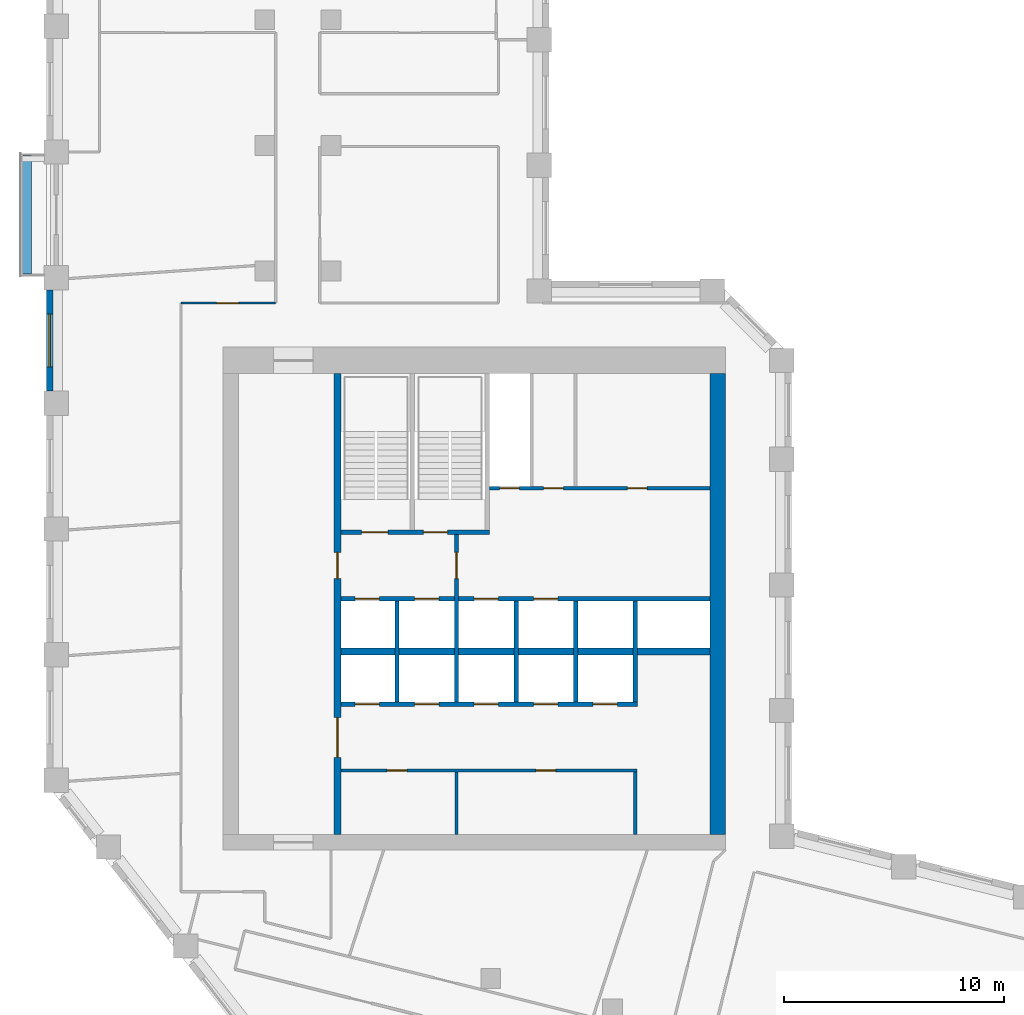
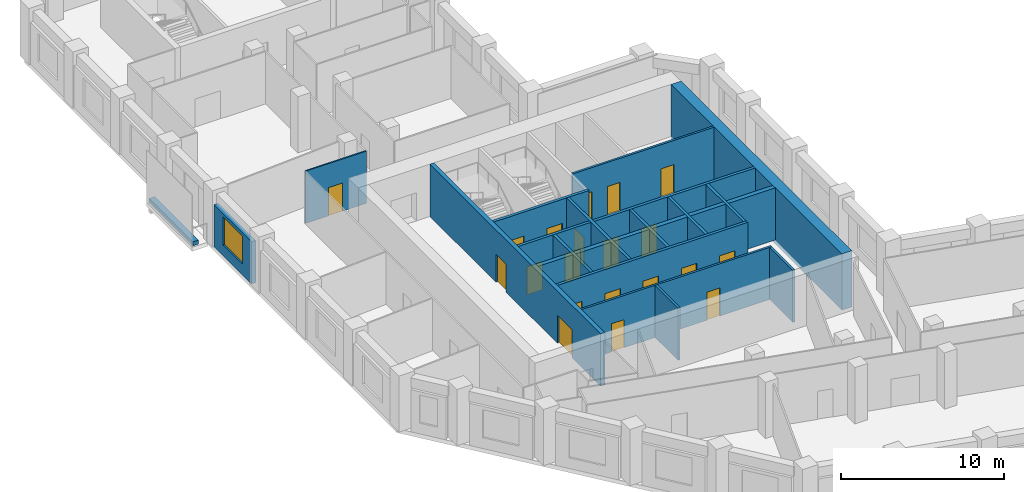
# One storey, part 5 of 10: 20 doors, 18 walls, 1 window, 21 openings.
"""IFC4 building model written with IfcOpenShell, lengths in metres."""

from ifc_helpers import new_model, si_unit, direction, frame, frame_2d, origin, place, context, subcontext, project, spatial, rectangle, extrude, material, layer, layer_set, type_object, element, fill, save


model = new_model("IFC4")

# Units and contexts
model_context = context("Model", 3, precision=1e-05, world=origin(), true_north=direction((0.0, 1.0)))
body_context = subcontext(model_context, "Body", "Model", "MODEL_VIEW")
ifc_project = project(units=[si_unit("LENGTHUNIT", "METRE"), si_unit("AREAUNIT", "SQUARE_METRE"), si_unit("VOLUMEUNIT", "CUBIC_METRE"), si_unit("PLANEANGLEUNIT", "RADIAN"), si_unit("MASSUNIT", "GRAM", prefix="KILO")], contexts=[model_context])

# Site, building, storey
site_placement = place(None, origin())
site = spatial("IfcSite", under=ifc_project, at=site_placement, CompositionType="ELEMENT")
building_placement = place(site_placement, origin())
building = spatial("IfcBuilding", under=site, at=building_placement, Name="Meshkara Civic Tower", CompositionType="ELEMENT")
storey_placement = place(building_placement, frame((0.0, 0.0, 238.199951171875)))
storey = spatial("IfcBuildingStorey", under=building, at=storey_placement, Name="L54", CompositionType="ELEMENT", Elevation=238.199951171875)

# Wall, openings, doors
ifc_material_1 = material(Name="Blockwork", Category="masonry")
ifc_layer_1 = layer(ifc_material_1, 0.14990234375)
ifc_layer_set_1 = layer_set([ifc_layer_1], Name="Core partition 150")
wall_type_1 = type_object("IfcWallType", Name="Core partition 150", PredefinedType="PARTITIONING", material=ifc_layer_set_1)
wall_1_placement = place(storey_placement, frame((13.35009765625, 17.699951171875, 0.0), z_axis=(0.0, 0.0, 1.0), x_axis=(1.0, 0.0, 0.0)))
wall_1 = element("IfcWall", 1, at=wall_1_placement, inside=storey, type_object=wall_type_1, Name="L54-C005", PredefinedType="PARTITIONING", context=body_context, shape_type="SweptSolid", body=[
    extrude(rectangle(XDim=13.4248046875, YDim=0.14990234375, at=frame_2d((6.71240234375, 0.0))), origin(), (0.0, 0.0, 1.0), 3.900146484375),
])
opening_1_placement = place(wall_1_placement, frame((2.10009765625, 0.0, 0.0)))
opening_1 = element("IfcOpeningElement", 2, at=opening_1_placement, cuts=wall_1, Name="Opening L54-K010", PredefinedType="OPENING", context=body_context, shape_type="SweptSolid", body=[
    extrude(rectangle(XDim=0.89990234375, YDim=2.10009765625, at=frame_2d((0.449951171875, 1.050048828125))), frame((0.0, 0.0849609375, 0.0), z_axis=(0.0, -1.0, 0.0), x_axis=(1.0, 0.0, 0.0)), (0.0, 0.0, 1.0), 0.169921875),
])
opening_2_placement = place(wall_1_placement, frame((8.85009765625, 0.0, 0.0)))
opening_2 = element("IfcOpeningElement", 3, at=opening_2_placement, cuts=wall_1, Name="Opening L54-K011", PredefinedType="OPENING", context=body_context, shape_type="SweptSolid", body=[
    extrude(rectangle(XDim=0.89990234375, YDim=2.10009765625, at=frame_2d((0.449951171875, 1.050048828125))), frame((0.0, 0.0849609375, 0.0), z_axis=(0.0, -1.0, 0.0), x_axis=(1.0, 0.0, 0.0)), (0.0, 0.0, 1.0), 0.169921875),
])
ifc_material_2 = material(Name="Timber door leaf in steel frame", Category="steel")
door_type_1 = type_object("IfcDoorType", Name="Core room door 900", OperationType="SINGLE_SWING_LEFT", PredefinedType="DOOR", material=ifc_material_2)
door_1_placement = place(opening_1_placement, origin())
door_1 = element("IfcDoor", 4, at=door_1_placement, inside=storey, type_object=door_type_1, Name="L54-K010", OperationType="SINGLE_SWING_LEFT", OverallHeight=2.10009765625, OverallWidth=0.89990234375, PredefinedType="DOOR", context=body_context, shape_type="SweptSolid", body=[
    extrude(rectangle(XDim=0.89990234375, YDim=2.10009765625, at=frame_2d((0.449951171875, 1.050048828125))), frame((0.0, 0.02490234375, 0.0), z_axis=(0.0, -1.0, 0.0), x_axis=(1.0, 0.0, 0.0)), (0.0, 0.0, 1.0), 0.050048828125),
])
fill(opening_1, door_1)
door_2_placement = place(opening_2_placement, origin())
door_2 = element("IfcDoor", 5, at=door_2_placement, inside=storey, type_object=door_type_1, Name="L54-K011", OperationType="SINGLE_SWING_LEFT", OverallHeight=2.10009765625, OverallWidth=0.89990234375, PredefinedType="DOOR", context=body_context, shape_type="SweptSolid", body=[
    extrude(rectangle(XDim=0.89990234375, YDim=2.10009765625, at=frame_2d((0.449951171875, 1.050048828125))), frame((0.0, 0.02490234375, 0.0), z_axis=(0.0, -1.0, 0.0), x_axis=(1.0, 0.0, 0.0)), (0.0, 0.0, 1.0), 0.050048828125),
])
fill(opening_2, door_2)

wall_2_placement = place(storey_placement, frame((20.10009765625, 30.5, 0.0), z_axis=(0.0, 0.0, 1.0), x_axis=(1.0, 0.0, 0.0)))
wall_2 = element("IfcWall", 6, at=wall_2_placement, inside=storey, type_object=wall_type_1, Name="L54-C010", PredefinedType="PARTITIONING", context=body_context, shape_type="SweptSolid", body=[
    extrude(rectangle(XDim=10.0, YDim=0.14990234375, at=frame_2d((5.0, 0.0))), origin(), (0.0, 0.0, 1.0), 3.900146484375),
])
opening_3_placement = place(wall_2_placement, frame((0.449951171875, 0.0, 0.0)))
opening_3 = element("IfcOpeningElement", 7, at=opening_3_placement, cuts=wall_2, Name="Opening L54-K012", PredefinedType="OPENING", context=body_context, shape_type="SweptSolid", body=[
    extrude(rectangle(XDim=0.89990234375, YDim=2.10009765625, at=frame_2d((0.449951171875, 1.050048828125))), frame((0.0, 0.0849609375, 0.0), z_axis=(0.0, -1.0, 0.0), x_axis=(1.0, 0.0, 0.0)), (0.0, 0.0, 1.0), 0.169921875),
])
opening_4_placement = place(wall_2_placement, frame((2.449951171875, 0.0, 0.0)))
opening_4 = element("IfcOpeningElement", 8, at=opening_4_placement, cuts=wall_2, Name="Opening L54-K013", PredefinedType="OPENING", context=body_context, shape_type="SweptSolid", body=[
    extrude(rectangle(XDim=0.89990234375, YDim=2.10009765625, at=frame_2d((0.449951171875, 1.050048828125))), frame((0.0, 0.0849609375, 0.0), z_axis=(0.0, -1.0, 0.0), x_axis=(1.0, 0.0, 0.0)), (0.0, 0.0, 1.0), 0.169921875),
])
opening_5_placement = place(wall_2_placement, frame((6.25, 0.0, 0.0)))
opening_5 = element("IfcOpeningElement", 9, at=opening_5_placement, cuts=wall_2, Name="Opening L54-K014", PredefinedType="OPENING", context=body_context, shape_type="SweptSolid", body=[
    extrude(rectangle(XDim=0.89990234375, YDim=2.10009765625, at=frame_2d((0.449951171875, 1.050048828125))), frame((0.0, 0.0849609375, 0.0), z_axis=(0.0, -1.0, 0.0), x_axis=(1.0, 0.0, 0.0)), (0.0, 0.0, 1.0), 0.169921875),
])
door_3_placement = place(opening_5_placement, origin())
door_3 = element("IfcDoor", 10, at=door_3_placement, inside=storey, type_object=door_type_1, Name="L54-K014", OperationType="SINGLE_SWING_RIGHT", OverallHeight=2.10009765625, OverallWidth=0.89990234375, PredefinedType="DOOR", context=body_context, shape_type="SweptSolid", body=[
    extrude(rectangle(XDim=0.89990234375, YDim=2.10009765625, at=frame_2d((0.449951171875, 1.050048828125))), frame((0.0, 0.02490234375, 0.0), z_axis=(0.0, -1.0, 0.0), x_axis=(1.0, 0.0, 0.0)), (0.0, 0.0, 1.0), 0.050048828125),
])
fill(opening_5, door_3)
ifc_material_3 = material(Name="Fire-rated door leaf in steel frame", Category="steel")
door_type_2 = type_object("IfcDoorType", Name="Riser door 900", OperationType="SINGLE_SWING_LEFT", PredefinedType="DOOR", material=ifc_material_3)
door_4_placement = place(opening_3_placement, origin())
door_4 = element("IfcDoor", 11, at=door_4_placement, inside=storey, type_object=door_type_2, Name="L54-K012", OperationType="SINGLE_SWING_RIGHT", OverallHeight=2.10009765625, OverallWidth=0.89990234375, PredefinedType="DOOR", context=body_context, shape_type="SweptSolid", body=[
    extrude(rectangle(XDim=0.89990234375, YDim=2.10009765625, at=frame_2d((0.449951171875, 1.050048828125))), frame((0.0, 0.02490234375, 0.0), z_axis=(0.0, -1.0, 0.0), x_axis=(1.0, 0.0, 0.0)), (0.0, 0.0, 1.0), 0.050048828125),
])
fill(opening_3, door_4)
ifc_material_4 = material(Name="Timber door leaf in steel frame", Category="steel")
door_type_3 = type_object("IfcDoorType", Name="WC door 900", OperationType="SINGLE_SWING_LEFT", PredefinedType="DOOR", material=ifc_material_4)
door_5_placement = place(opening_4_placement, origin())
door_5 = element("IfcDoor", 12, at=door_5_placement, inside=storey, type_object=door_type_3, Name="L54-K013", OperationType="SINGLE_SWING_LEFT", OverallHeight=2.10009765625, OverallWidth=0.89990234375, PredefinedType="DOOR", context=body_context, shape_type="SweptSolid", body=[
    extrude(rectangle(XDim=0.89990234375, YDim=2.10009765625, at=frame_2d((0.449951171875, 1.050048828125))), frame((0.0, 0.02490234375, 0.0), z_axis=(0.0, -1.0, 0.0), x_axis=(1.0, 0.0, 0.0)), (0.0, 0.0, 1.0), 0.050048828125),
])
fill(opening_4, door_5)

# Walls
for number, where, z_axis, x_axis, name in (
    (13, (18.60009765625, 14.800048828125, 0.0), (0.0, 0.0, 1.0), (0.0, 1.0, 0.0), "L54-C014"),
    (14, (26.699951171875, 14.800048828125, 0.0), (0.0, 0.0, 1.0), (0.0, 1.0, 0.0), "L54-C021"),
):
    element("IfcWall", number, at=place(storey_placement, frame(where, z_axis=z_axis, x_axis=x_axis)), inside=storey, type_object=wall_type_1, Name=name, PredefinedType="PARTITIONING", context=body_context, shape_type="SweptSolid", body=[
        extrude(rectangle(XDim=2.824951171875, YDim=0.14990234375, at=frame_2d((1.41259765625, 0.0))), origin(), (0.0, 0.0, 1.0), 3.900146484375),
    ])
ifc_material_5 = material(Name="Concrete C60", Category="concrete")
ifc_layer_2 = layer(ifc_material_5, 0.699951171875)
ifc_layer_set_2 = layer_set([ifc_layer_2], Name="Core ring wall 700 C60")
wall_type_2 = type_object("IfcWallType", Name="Core ring wall 700 C60", PredefinedType="SHEAR", material=ifc_layer_set_2)
wall_3_placement = place(storey_placement, frame((30.449951171875, 14.800048828125, -0.300048828125), z_axis=(0.0, 0.0, 1.0), x_axis=(0.0, 1.0, 0.0)))
element("IfcWall", 15, at=wall_3_placement, inside=storey, type_object=wall_type_2, Name="L54-C004", PredefinedType="SHEAR", context=body_context, shape_type="SweptSolid", body=[
    extrude(rectangle(XDim=20.89990234375, YDim=0.699951171875, at=frame_2d((10.449951171875, 0.0))), origin(), (0.0, 0.0, 1.0), 4.2001953125),
])
ifc_material_6 = material(Name="Concrete C60", Category="concrete")
ifc_layer_3 = layer(ifc_material_6, 0.300048828125)
ifc_layer_set_3 = layer_set([ifc_layer_3], Name="Core shear wall 300 C60")
wall_type_3 = type_object("IfcWallType", Name="Core shear wall 300 C60", PredefinedType="SHEAR", material=ifc_layer_set_3)
wall_4_placement = place(storey_placement, frame((13.35009765625, 23.10009765625, 0.0), z_axis=(0.0, 0.0, 1.0), x_axis=(1.0, 0.0, 0.0)))
element("IfcWall", 16, at=wall_4_placement, inside=storey, type_object=wall_type_3, Name="L54-C007", PredefinedType="SHEAR", context=body_context, shape_type="SweptSolid", body=[
    extrude(rectangle(XDim=16.75, YDim=0.300048828125, at=frame_2d((8.375, 0.0))), origin(), (0.0, 0.0, 1.0), 3.900146484375),
])

# Wall, openings, doors
wall_5_placement = place(storey_placement, frame((13.199951171875, 14.800048828125, 0.0), z_axis=(0.0, 0.0, 1.0), x_axis=(0.0, 1.0, 0.0)))
wall_5 = element("IfcWall", 17, at=wall_5_placement, inside=storey, type_object=wall_type_3, Name="L54-C011", PredefinedType="SHEAR", context=body_context, shape_type="SweptSolid", body=[
    extrude(rectangle(XDim=20.89990234375, YDim=0.300048828125, at=frame_2d((10.449951171875, 0.0))), origin(), (0.0, 0.0, 1.0), 3.900146484375),
])
opening_6_placement = place(wall_5_placement, frame((3.5, 0.0, 0.0)))
opening_6 = element("IfcOpeningElement", 18, at=opening_6_placement, cuts=wall_5, Name="Opening L54-K017", PredefinedType="OPENING", context=body_context, shape_type="SweptSolid", body=[
    extrude(rectangle(XDim=1.800048828125, YDim=2.10009765625, at=frame_2d((0.89990234375, 1.050048828125))), frame((0.0, 0.159912109375, 0.0), z_axis=(0.0, -1.0, 0.0), x_axis=(1.0, 0.0, 0.0)), (0.0, 0.0, 1.0), 0.320068359375),
])
opening_7_placement = place(wall_5_placement, frame((11.60009765625, 0.0, 0.0)))
opening_7 = element("IfcOpeningElement", 19, at=opening_7_placement, cuts=wall_5, Name="Opening L54-K018", PredefinedType="OPENING", context=body_context, shape_type="SweptSolid", body=[
    extrude(rectangle(XDim=1.199951171875, YDim=2.10009765625, at=frame_2d((0.60009765625, 1.050048828125))), frame((0.0, 0.159912109375, 0.0), z_axis=(0.0, -1.0, 0.0), x_axis=(1.0, 0.0, 0.0)), (0.0, 0.0, 1.0), 0.320068359375),
])
ifc_material_7 = material(Name="Fire-rated door leaf in steel frame", Category="steel")
door_type_4 = type_object("IfcDoorType", Name="Core double door 1800 EI 60", OperationType="DOUBLE_DOOR_SINGLE_SWING", PredefinedType="DOOR", material=ifc_material_7)
door_6_placement = place(opening_6_placement, origin())
door_6 = element("IfcDoor", 20, at=door_6_placement, inside=storey, type_object=door_type_4, Name="L54-K017", OperationType="DOUBLE_DOOR_SINGLE_SWING", OverallHeight=2.10009765625, OverallWidth=1.800048828125, PredefinedType="DOOR", context=body_context, shape_type="SweptSolid", body=[
    extrude(rectangle(XDim=1.800048828125, YDim=2.10009765625, at=frame_2d((0.89990234375, 1.050048828125))), frame((0.0, 0.02490234375, 0.0), z_axis=(0.0, -1.0, 0.0), x_axis=(1.0, 0.0, 0.0)), (0.0, 0.0, 1.0), 0.050048828125),
])
fill(opening_6, door_6)
ifc_material_8 = material(Name="Fire-rated door leaf in steel frame", Category="steel")
door_type_5 = type_object("IfcDoorType", Name="Fire-fighting lobby door 1200 EI 120", OperationType="SINGLE_SWING_LEFT", PredefinedType="DOOR", material=ifc_material_8)
door_7_placement = place(opening_7_placement, origin())
door_7 = element("IfcDoor", 21, at=door_7_placement, inside=storey, type_object=door_type_5, Name="L54-K018", OperationType="SINGLE_SWING_LEFT", OverallHeight=2.10009765625, OverallWidth=1.199951171875, PredefinedType="DOOR", context=body_context, shape_type="SweptSolid", body=[
    extrude(rectangle(XDim=1.199951171875, YDim=2.10009765625, at=frame_2d((0.60009765625, 1.050048828125))), frame((0.0, 0.02490234375, 0.0), z_axis=(0.0, -1.0, 0.0), x_axis=(1.0, 0.0, 0.0)), (0.0, 0.0, 1.0), 0.050048828125),
])
fill(opening_7, door_7)

# Wall, opening, door
ifc_material_9 = material(Name="Corridor wall 100")
ifc_layer_4 = layer(ifc_material_9, 0.10009765625)
ifc_layer_set_4 = layer_set([ifc_layer_4], Name="Corridor wall 100")
wall_type_4 = type_object("IfcWallType", Name="Corridor wall 100", PredefinedType="PARTITIONING", material=ifc_layer_set_4)
wall_6_placement = place(storey_placement, frame((10.39990234375, 38.89990234375, 0.0), z_axis=(0.0, 0.0, 1.0), x_axis=(-1.0, 0.0, 0.0)))
wall_6 = element("IfcWall", 22, at=wall_6_placement, inside=storey, type_object=wall_type_4, Name="L54-W011", PredefinedType="PARTITIONING", context=body_context, shape_type="SweptSolid", body=[
    extrude(rectangle(XDim=4.2998046875, YDim=0.10009765625, at=frame_2d((2.14990234375, 0.0))), origin(), (0.0, 0.0, 1.0), 3.900146484375),
])
opening_8_placement = place(wall_6_placement, frame((1.679931640625, 0.0, 0.0)))
opening_8 = element("IfcOpeningElement", 23, at=opening_8_placement, cuts=wall_6, Name="Opening L54-D017", PredefinedType="OPENING", context=body_context, shape_type="SweptSolid", body=[
    extrude(rectangle(XDim=1.0, YDim=2.10009765625, at=frame_2d((0.5, 1.050048828125))), frame((0.0, 0.06005859375, 0.0), z_axis=(0.0, -1.0, 0.0), x_axis=(1.0, 0.0, 0.0)), (0.0, 0.0, 1.0), 0.1201171875),
])
ifc_material_10 = material(Name="Door 1000 x 2100")
door_type_6 = type_object("IfcDoorType", Name="Door 1000 x 2100", OperationType="SINGLE_SWING_LEFT", PredefinedType="DOOR", material=ifc_material_10)
door_8_placement = place(opening_8_placement, origin())
door_8 = element("IfcDoor", 24, at=door_8_placement, inside=storey, type_object=door_type_6, Name="L54-D017", OperationType="SINGLE_SWING_LEFT", OverallHeight=2.10009765625, OverallWidth=1.0, PredefinedType="DOOR", context=body_context, shape_type="SweptSolid", body=[
    extrude(rectangle(XDim=1.0, YDim=2.10009765625, at=frame_2d((0.5, 1.050048828125))), frame((0.0, 0.02490234375, 0.0), z_axis=(0.0, -1.0, 0.0), x_axis=(1.0, 0.0, 0.0)), (0.0, 0.0, 1.0), 0.050048828125),
])
fill(opening_8, door_8)

# Wall, opening, window
ifc_material_11 = material(Name="Insulated infill panel with bronze anodised aluminium cladding", Category="aluminium")
ifc_layer_5 = layer(ifc_material_11, 0.300048828125)
ifc_layer_set_5 = layer_set([ifc_layer_5], Name="EXTERNAL INFILL WALL 300")
wall_type_5 = type_object("IfcWallType", Name="EXTERNAL INFILL WALL 300", PredefinedType="SOLIDWALL", material=ifc_layer_set_5)
wall_7_placement = place(storey_placement, frame((0.14990234375, 39.5048828125, 0.0), z_axis=(0.0, 0.0, 1.0), x_axis=(0.0, -1.0, 0.0)))
wall_7 = element("IfcWall", 25, at=wall_7_placement, inside=storey, type_object=wall_type_5, Name="External wall", PredefinedType="SOLIDWALL", context=body_context, shape_type="SweptSolid", body=[
    extrude(rectangle(XDim=4.599853515625, YDim=0.300048828125, at=frame_2d((2.2998046875, 0.0))), origin(), (0.0, 0.0, 1.0), 3.150146484375),
])
opening_9_placement = place(wall_7_placement, frame((1.10009765625, 0.0, 0.800048828125)))
opening_9 = element("IfcOpeningElement", 26, at=opening_9_placement, cuts=wall_7, Name="Opening W7", PredefinedType="OPENING", context=body_context, shape_type="SweptSolid", body=[
    extrude(rectangle(XDim=2.39990234375, YDim=2.10009765625, at=frame_2d((1.199951171875, 1.050048828125))), frame((0.0, 0.159912109375, 0.0), z_axis=(0.0, -1.0, 0.0), x_axis=(1.0, 0.0, 0.0)), (0.0, 0.0, 1.0), 0.320068359375),
])
ifc_material_12 = material(Name="Tinted double glazing", Category="glass")
window_type = type_object("IfcWindowType", Name="WINDOW 2400x2100", PartitioningType="DOUBLE_PANEL_VERTICAL", PredefinedType="WINDOW", material=ifc_material_12)
window_placement = place(opening_9_placement, origin())
window = element("IfcWindow", 27, at=window_placement, inside=storey, type_object=window_type, Name="Window", OverallHeight=2.10009765625, OverallWidth=2.39990234375, PartitioningType="DOUBLE_PANEL_VERTICAL", PredefinedType="WINDOW", context=body_context, shape_type="SweptSolid", body=[
    extrude(rectangle(XDim=2.39990234375, YDim=2.10009765625, at=frame_2d((1.199951171875, 1.050048828125))), frame((0.0, 0.030029296875, 0.0), z_axis=(0.0, -1.0, 0.0), x_axis=(1.0, 0.0, 0.0)), (0.0, 0.0, 1.0), 0.06005859375),
])
fill(opening_9, window)

# Wall
ifc_material_13 = material(Name="Concrete C40", Category="concrete")
ifc_layer_6 = layer(ifc_material_13, 0.39990234375)
ifc_layer_set_6 = layer_set([ifc_layer_6], Name="PLANTER TRAY")
wall_type_6 = type_object("IfcWallType", Name="PLANTER TRAY", PredefinedType="SOLIDWALL", material=ifc_layer_set_6)
wall_8_placement = place(storey_placement, frame((-0.8798828125, 45.5849609375, 0.0), z_axis=(0.0, 0.0, 1.0), x_axis=(0.0, -1.0, 0.0)))
element("IfcWall", 28, at=wall_8_placement, inside=storey, type_object=wall_type_6, Name="Planter", PredefinedType="SOLIDWALL", context=body_context, shape_type="SweptSolid", body=[
    extrude(rectangle(XDim=5.35986328125, YDim=0.39990234375, at=frame_2d((2.679931640625, 0.0))), origin(), (0.0, 0.0, 1.0), 0.300048828125),
])

# Wall, openings, doors
ifc_material_14 = material(Name="Concrete C40/50", Category="concrete")
ifc_layer_7 = layer(ifc_material_14, 0.199951171875)
ifc_layer_set_7 = layer_set([ifc_layer_7], Name="Shaft wall 200 C40/50")
wall_type_7 = type_object("IfcWallType", Name="Shaft wall 200 C40/50", PredefinedType="SOLIDWALL", material=ifc_layer_set_7)
wall_9_placement = place(storey_placement, frame((13.35009765625, 20.699951171875, 0.0), z_axis=(0.0, 0.0, 1.0), x_axis=(1.0, 0.0, 0.0)))
wall_9 = element("IfcWall", 29, at=wall_9_placement, inside=storey, type_object=wall_type_7, Name="L54-C006", PredefinedType="SOLIDWALL", context=body_context, shape_type="SweptSolid", body=[
    extrude(rectangle(XDim=13.449951171875, YDim=0.199951171875, at=frame_2d((6.72509765625, 0.0))), origin(), (0.0, 0.0, 1.0), 3.900146484375),
])
opening_10_placement = place(wall_9_placement, frame((0.64990234375, 0.0, 0.0)))
opening_10 = element("IfcOpeningElement", 30, at=opening_10_placement, cuts=wall_9, Name="Opening L54-K001", PredefinedType="OPENING", context=body_context, shape_type="SweptSolid", body=[
    extrude(rectangle(XDim=1.10009765625, YDim=2.10009765625, at=frame_2d((0.550048828125, 1.050048828125))), frame((0.0, 0.10986328125, 0.0), z_axis=(0.0, -1.0, 0.0), x_axis=(1.0, 0.0, 0.0)), (0.0, 0.0, 1.0), 0.219970703125),
])
opening_11_placement = place(wall_9_placement, frame((3.35009765625, 0.0, 0.0)))
opening_11 = element("IfcOpeningElement", 31, at=opening_11_placement, cuts=wall_9, Name="Opening L54-K002", PredefinedType="OPENING", context=body_context, shape_type="SweptSolid", body=[
    extrude(rectangle(XDim=1.10009765625, YDim=2.10009765625, at=frame_2d((0.550048828125, 1.050048828125))), frame((0.0, 0.10986328125, 0.0), z_axis=(0.0, -1.0, 0.0), x_axis=(1.0, 0.0, 0.0)), (0.0, 0.0, 1.0), 0.219970703125),
])
opening_12_placement = place(wall_9_placement, frame((6.050048828125, 0.0, 0.0)))
opening_12 = element("IfcOpeningElement", 32, at=opening_12_placement, cuts=wall_9, Name="Opening L54-K003", PredefinedType="OPENING", context=body_context, shape_type="SweptSolid", body=[
    extrude(rectangle(XDim=1.10009765625, YDim=2.10009765625, at=frame_2d((0.550048828125, 1.050048828125))), frame((0.0, 0.10986328125, 0.0), z_axis=(0.0, -1.0, 0.0), x_axis=(1.0, 0.0, 0.0)), (0.0, 0.0, 1.0), 0.219970703125),
])
opening_13_placement = place(wall_9_placement, frame((8.75, 0.0, 0.0)))
opening_13 = element("IfcOpeningElement", 33, at=opening_13_placement, cuts=wall_9, Name="Opening L54-K004", PredefinedType="OPENING", context=body_context, shape_type="SweptSolid", body=[
    extrude(rectangle(XDim=1.10009765625, YDim=2.10009765625, at=frame_2d((0.550048828125, 1.050048828125))), frame((0.0, 0.10986328125, 0.0), z_axis=(0.0, -1.0, 0.0), x_axis=(1.0, 0.0, 0.0)), (0.0, 0.0, 1.0), 0.219970703125),
])
opening_14_placement = place(wall_9_placement, frame((11.449951171875, 0.0, 0.0)))
opening_14 = element("IfcOpeningElement", 34, at=opening_14_placement, cuts=wall_9, Name="Opening L54-K005", PredefinedType="OPENING", context=body_context, shape_type="SweptSolid", body=[
    extrude(rectangle(XDim=1.10009765625, YDim=2.10009765625, at=frame_2d((0.550048828125, 1.050048828125))), frame((0.0, 0.10986328125, 0.0), z_axis=(0.0, -1.0, 0.0), x_axis=(1.0, 0.0, 0.0)), (0.0, 0.0, 1.0), 0.219970703125),
])
ifc_material_15 = material(Name="Stainless steel landing door", Category="steel")
door_type_7 = type_object("IfcDoorType", Name="Lift landing door 1100", OperationType="SLIDING_TO_LEFT", PredefinedType="DOOR", material=ifc_material_15)
door_9_placement = place(opening_10_placement, origin())
door_9 = element("IfcDoor", 35, at=door_9_placement, inside=storey, type_object=door_type_7, Name="L54-K001", OperationType="SLIDING_TO_LEFT", OverallHeight=2.10009765625, OverallWidth=1.10009765625, PredefinedType="DOOR", context=body_context, shape_type="SweptSolid", body=[
    extrude(rectangle(XDim=1.10009765625, YDim=2.10009765625, at=frame_2d((0.550048828125, 1.050048828125))), frame((0.0, 0.02490234375, 0.0), z_axis=(0.0, -1.0, 0.0), x_axis=(1.0, 0.0, 0.0)), (0.0, 0.0, 1.0), 0.050048828125),
])
fill(opening_10, door_9)
door_10_placement = place(opening_11_placement, origin())
door_10 = element("IfcDoor", 36, at=door_10_placement, inside=storey, type_object=door_type_7, Name="L54-K002", OperationType="SLIDING_TO_LEFT", OverallHeight=2.10009765625, OverallWidth=1.10009765625, PredefinedType="DOOR", context=body_context, shape_type="SweptSolid", body=[
    extrude(rectangle(XDim=1.10009765625, YDim=2.10009765625, at=frame_2d((0.550048828125, 1.050048828125))), frame((0.0, 0.02490234375, 0.0), z_axis=(0.0, -1.0, 0.0), x_axis=(1.0, 0.0, 0.0)), (0.0, 0.0, 1.0), 0.050048828125),
])
fill(opening_11, door_10)
door_11_placement = place(opening_12_placement, origin())
door_11 = element("IfcDoor", 37, at=door_11_placement, inside=storey, type_object=door_type_7, Name="L54-K003", OperationType="SLIDING_TO_LEFT", OverallHeight=2.10009765625, OverallWidth=1.10009765625, PredefinedType="DOOR", context=body_context, shape_type="SweptSolid", body=[
    extrude(rectangle(XDim=1.10009765625, YDim=2.10009765625, at=frame_2d((0.550048828125, 1.050048828125))), frame((0.0, 0.02490234375, 0.0), z_axis=(0.0, -1.0, 0.0), x_axis=(1.0, 0.0, 0.0)), (0.0, 0.0, 1.0), 0.050048828125),
])
fill(opening_12, door_11)
door_12_placement = place(opening_13_placement, origin())
door_12 = element("IfcDoor", 38, at=door_12_placement, inside=storey, type_object=door_type_7, Name="L54-K004", OperationType="SLIDING_TO_LEFT", OverallHeight=2.10009765625, OverallWidth=1.10009765625, PredefinedType="DOOR", context=body_context, shape_type="SweptSolid", body=[
    extrude(rectangle(XDim=1.10009765625, YDim=2.10009765625, at=frame_2d((0.550048828125, 1.050048828125))), frame((0.0, 0.02490234375, 0.0), z_axis=(0.0, -1.0, 0.0), x_axis=(1.0, 0.0, 0.0)), (0.0, 0.0, 1.0), 0.050048828125),
])
fill(opening_13, door_12)
door_13_placement = place(opening_14_placement, origin())
door_13 = element("IfcDoor", 39, at=door_13_placement, inside=storey, type_object=door_type_7, Name="L54-K005", OperationType="SLIDING_TO_LEFT", OverallHeight=2.10009765625, OverallWidth=1.10009765625, PredefinedType="DOOR", context=body_context, shape_type="SweptSolid", body=[
    extrude(rectangle(XDim=1.10009765625, YDim=2.10009765625, at=frame_2d((0.550048828125, 1.050048828125))), frame((0.0, 0.02490234375, 0.0), z_axis=(0.0, -1.0, 0.0), x_axis=(1.0, 0.0, 0.0)), (0.0, 0.0, 1.0), 0.050048828125),
])
fill(opening_14, door_13)

wall_10_placement = place(storey_placement, frame((13.35009765625, 25.5, 0.0), z_axis=(0.0, 0.0, 1.0), x_axis=(1.0, 0.0, 0.0)))
wall_10 = element("IfcWall", 40, at=wall_10_placement, inside=storey, type_object=wall_type_7, Name="L54-C008", PredefinedType="SOLIDWALL", context=body_context, shape_type="SweptSolid", body=[
    extrude(rectangle(XDim=16.75, YDim=0.199951171875, at=frame_2d((8.375, 0.0))), origin(), (0.0, 0.0, 1.0), 3.900146484375),
])
opening_15_placement = place(wall_10_placement, frame((0.64990234375, 0.0, 0.0)))
opening_15 = element("IfcOpeningElement", 41, at=opening_15_placement, cuts=wall_10, Name="Opening L54-K006", PredefinedType="OPENING", context=body_context, shape_type="SweptSolid", body=[
    extrude(rectangle(XDim=1.10009765625, YDim=2.10009765625, at=frame_2d((0.550048828125, 1.050048828125))), frame((0.0, 0.10986328125, 0.0), z_axis=(0.0, -1.0, 0.0), x_axis=(1.0, 0.0, 0.0)), (0.0, 0.0, 1.0), 0.219970703125),
])
opening_16_placement = place(wall_10_placement, frame((3.35009765625, 0.0, 0.0)))
opening_16 = element("IfcOpeningElement", 42, at=opening_16_placement, cuts=wall_10, Name="Opening L54-K007", PredefinedType="OPENING", context=body_context, shape_type="SweptSolid", body=[
    extrude(rectangle(XDim=1.10009765625, YDim=2.10009765625, at=frame_2d((0.550048828125, 1.050048828125))), frame((0.0, 0.10986328125, 0.0), z_axis=(0.0, -1.0, 0.0), x_axis=(1.0, 0.0, 0.0)), (0.0, 0.0, 1.0), 0.219970703125),
])
opening_17_placement = place(wall_10_placement, frame((6.050048828125, 0.0, 0.0)))
opening_17 = element("IfcOpeningElement", 43, at=opening_17_placement, cuts=wall_10, Name="Opening L54-K008", PredefinedType="OPENING", context=body_context, shape_type="SweptSolid", body=[
    extrude(rectangle(XDim=1.10009765625, YDim=2.10009765625, at=frame_2d((0.550048828125, 1.050048828125))), frame((0.0, 0.10986328125, 0.0), z_axis=(0.0, -1.0, 0.0), x_axis=(1.0, 0.0, 0.0)), (0.0, 0.0, 1.0), 0.219970703125),
])
opening_18_placement = place(wall_10_placement, frame((8.75, 0.0, 0.0)))
opening_18 = element("IfcOpeningElement", 44, at=opening_18_placement, cuts=wall_10, Name="Opening L54-K009", PredefinedType="OPENING", context=body_context, shape_type="SweptSolid", body=[
    extrude(rectangle(XDim=1.10009765625, YDim=2.10009765625, at=frame_2d((0.550048828125, 1.050048828125))), frame((0.0, 0.10986328125, 0.0), z_axis=(0.0, -1.0, 0.0), x_axis=(1.0, 0.0, 0.0)), (0.0, 0.0, 1.0), 0.219970703125),
])
door_14_placement = place(opening_15_placement, origin())
door_14 = element("IfcDoor", 45, at=door_14_placement, inside=storey, type_object=door_type_7, Name="L54-K006", OperationType="SLIDING_TO_LEFT", OverallHeight=2.10009765625, OverallWidth=1.10009765625, PredefinedType="DOOR", context=body_context, shape_type="SweptSolid", body=[
    extrude(rectangle(XDim=1.10009765625, YDim=2.10009765625, at=frame_2d((0.550048828125, 1.050048828125))), frame((0.0, 0.02490234375, 0.0), z_axis=(0.0, -1.0, 0.0), x_axis=(1.0, 0.0, 0.0)), (0.0, 0.0, 1.0), 0.050048828125),
])
fill(opening_15, door_14)
door_15_placement = place(opening_16_placement, origin())
door_15 = element("IfcDoor", 46, at=door_15_placement, inside=storey, type_object=door_type_7, Name="L54-K007", OperationType="SLIDING_TO_LEFT", OverallHeight=2.10009765625, OverallWidth=1.10009765625, PredefinedType="DOOR", context=body_context, shape_type="SweptSolid", body=[
    extrude(rectangle(XDim=1.10009765625, YDim=2.10009765625, at=frame_2d((0.550048828125, 1.050048828125))), frame((0.0, 0.02490234375, 0.0), z_axis=(0.0, -1.0, 0.0), x_axis=(1.0, 0.0, 0.0)), (0.0, 0.0, 1.0), 0.050048828125),
])
fill(opening_16, door_15)
door_16_placement = place(opening_17_placement, origin())
door_16 = element("IfcDoor", 47, at=door_16_placement, inside=storey, type_object=door_type_7, Name="L54-K008", OperationType="SLIDING_TO_LEFT", OverallHeight=2.10009765625, OverallWidth=1.10009765625, PredefinedType="DOOR", context=body_context, shape_type="SweptSolid", body=[
    extrude(rectangle(XDim=1.10009765625, YDim=2.10009765625, at=frame_2d((0.550048828125, 1.050048828125))), frame((0.0, 0.02490234375, 0.0), z_axis=(0.0, -1.0, 0.0), x_axis=(1.0, 0.0, 0.0)), (0.0, 0.0, 1.0), 0.050048828125),
])
fill(opening_17, door_16)
door_17_placement = place(opening_18_placement, origin())
door_17 = element("IfcDoor", 48, at=door_17_placement, inside=storey, type_object=door_type_7, Name="L54-K009", OperationType="SLIDING_TO_LEFT", OverallHeight=2.10009765625, OverallWidth=1.10009765625, PredefinedType="DOOR", context=body_context, shape_type="SweptSolid", body=[
    extrude(rectangle(XDim=1.10009765625, YDim=2.10009765625, at=frame_2d((0.550048828125, 1.050048828125))), frame((0.0, 0.02490234375, 0.0), z_axis=(0.0, -1.0, 0.0), x_axis=(1.0, 0.0, 0.0)), (0.0, 0.0, 1.0), 0.050048828125),
])
fill(opening_18, door_17)

# Wall
wall_11_placement = place(storey_placement, frame((15.89990234375, 20.800048828125, 0.0), z_axis=(0.0, 0.0, 1.0), x_axis=(0.0, 1.0, 0.0)))
element("IfcWall", 49, at=wall_11_placement, inside=storey, type_object=wall_type_7, Name="L54-C012", PredefinedType="SOLIDWALL", context=body_context, shape_type="SweptSolid", body=[
    extrude(rectangle(XDim=4.599853515625, YDim=0.199951171875, at=frame_2d((2.2998046875, 0.0))), origin(), (0.0, 0.0, 1.0), 3.900146484375),
])

# Wall, opening, door
wall_12_placement = place(storey_placement, frame((18.60009765625, 20.800048828125, 0.0), z_axis=(0.0, 0.0, 1.0), x_axis=(0.0, 1.0, 0.0)))
wall_12 = element("IfcWall", 50, at=wall_12_placement, inside=storey, type_object=wall_type_7, Name="L54-C015", PredefinedType="SOLIDWALL", context=body_context, shape_type="SweptSolid", body=[
    extrude(rectangle(XDim=7.599853515625, YDim=0.199951171875, at=frame_2d((3.7998046875, 0.0))), origin(), (0.0, 0.0, 1.0), 3.900146484375),
])
opening_19_placement = place(wall_12_placement, frame((5.60009765625, 0.0, 0.0)))
opening_19 = element("IfcOpeningElement", 51, at=opening_19_placement, cuts=wall_12, Name="Opening L54-K019", PredefinedType="OPENING", context=body_context, shape_type="SweptSolid", body=[
    extrude(rectangle(XDim=1.199951171875, YDim=2.10009765625, at=frame_2d((0.60009765625, 1.050048828125))), frame((0.0, 0.10986328125, 0.0), z_axis=(0.0, -1.0, 0.0), x_axis=(1.0, 0.0, 0.0)), (0.0, 0.0, 1.0), 0.219970703125),
])
door_18_placement = place(opening_19_placement, origin())
door_18 = element("IfcDoor", 52, at=door_18_placement, inside=storey, type_object=door_type_5, Name="L54-K019", OperationType="SINGLE_SWING_RIGHT", OverallHeight=2.10009765625, OverallWidth=1.199951171875, PredefinedType="DOOR", context=body_context, shape_type="SweptSolid", body=[
    extrude(rectangle(XDim=1.199951171875, YDim=2.10009765625, at=frame_2d((0.60009765625, 1.050048828125))), frame((0.0, 0.02490234375, 0.0), z_axis=(0.0, -1.0, 0.0), x_axis=(1.0, 0.0, 0.0)), (0.0, 0.0, 1.0), 0.050048828125),
])
fill(opening_19, door_18)

# Walls
for number, where, z_axis, x_axis, name in (
    (53, (21.300048828125, 20.800048828125, 0.0), (0.0, 0.0, 1.0), (0.0, 1.0, 0.0), "L54-C017"),
    (54, (24.0, 20.800048828125, 0.0), (0.0, 0.0, 1.0), (0.0, 1.0, 0.0), "L54-C019"),
    (55, (26.699951171875, 20.800048828125, 0.0), (0.0, 0.0, 1.0), (0.0, 1.0, 0.0), "L54-C022"),
):
    element("IfcWall", number, at=place(storey_placement, frame(where, z_axis=z_axis, x_axis=x_axis)), inside=storey, type_object=wall_type_7, Name=name, PredefinedType="SOLIDWALL", context=body_context, shape_type="SweptSolid", body=[
        extrude(rectangle(XDim=4.599853515625, YDim=0.199951171875, at=frame_2d((2.2998046875, 0.0))), origin(), (0.0, 0.0, 1.0), 3.900146484375),
    ])

# Wall, openings, doors
ifc_material_16 = material(Name="Concrete C40/50", Category="concrete")
ifc_layer_8 = layer(ifc_material_16, 0.199951171875)
ifc_layer_set_8 = layer_set([ifc_layer_8], Name="Stair enclosure wall 200 C40/50")
wall_type_8 = type_object("IfcWallType", Name="Stair enclosure wall 200 C40/50", PredefinedType="SOLIDWALL", material=ifc_layer_set_8)
wall_13_placement = place(storey_placement, frame((13.35009765625, 28.5, 0.0), z_axis=(0.0, 0.0, 1.0), x_axis=(1.0, 0.0, 0.0)))
wall_13 = element("IfcWall", 56, at=wall_13_placement, inside=storey, type_object=wall_type_8, Name="L54-C009", PredefinedType="SOLIDWALL", context=body_context, shape_type="SweptSolid", body=[
    extrude(rectangle(XDim=6.75, YDim=0.199951171875, at=frame_2d((3.375, 0.0))), origin(), (0.0, 0.0, 1.0), 3.900146484375),
])
opening_20_placement = place(wall_13_placement, frame((0.949951171875, 0.0, 0.0)))
opening_20 = element("IfcOpeningElement", 57, at=opening_20_placement, cuts=wall_13, Name="Opening L54-K015", PredefinedType="OPENING", context=body_context, shape_type="SweptSolid", body=[
    extrude(rectangle(XDim=1.199951171875, YDim=2.10009765625, at=frame_2d((0.60009765625, 1.050048828125))), frame((0.0, 0.10986328125, 0.0), z_axis=(0.0, -1.0, 0.0), x_axis=(1.0, 0.0, 0.0)), (0.0, 0.0, 1.0), 0.219970703125),
])
opening_21_placement = place(wall_13_placement, frame((3.75, 0.0, 0.0)))
opening_21 = element("IfcOpeningElement", 58, at=opening_21_placement, cuts=wall_13, Name="Opening L54-K016", PredefinedType="OPENING", context=body_context, shape_type="SweptSolid", body=[
    extrude(rectangle(XDim=1.10009765625, YDim=2.10009765625, at=frame_2d((0.550048828125, 1.050048828125))), frame((0.0, 0.10986328125, 0.0), z_axis=(0.0, -1.0, 0.0), x_axis=(1.0, 0.0, 0.0)), (0.0, 0.0, 1.0), 0.219970703125),
])
ifc_material_17 = material(Name="Fire-rated door leaf in steel frame", Category="steel")
door_type_8 = type_object("IfcDoorType", Name="Stair door 1100 EI 120", OperationType="SINGLE_SWING_LEFT", PredefinedType="DOOR", material=ifc_material_17)
door_19_placement = place(opening_21_placement, origin())
door_19 = element("IfcDoor", 59, at=door_19_placement, inside=storey, type_object=door_type_8, Name="L54-K016", OperationType="SINGLE_SWING_LEFT", OverallHeight=2.10009765625, OverallWidth=1.10009765625, PredefinedType="DOOR", context=body_context, shape_type="SweptSolid", body=[
    extrude(rectangle(XDim=1.10009765625, YDim=2.10009765625, at=frame_2d((0.550048828125, 1.050048828125))), frame((0.0, 0.02490234375, 0.0), z_axis=(0.0, -1.0, 0.0), x_axis=(1.0, 0.0, 0.0)), (0.0, 0.0, 1.0), 0.050048828125),
])
fill(opening_21, door_19)
ifc_material_18 = material(Name="Fire-rated door leaf in steel frame", Category="steel")
door_type_9 = type_object("IfcDoorType", Name="Stair door 1200 EI 120", OperationType="SINGLE_SWING_LEFT", PredefinedType="DOOR", material=ifc_material_18)
door_20_placement = place(opening_20_placement, origin())
door_20 = element("IfcDoor", 60, at=door_20_placement, inside=storey, type_object=door_type_9, Name="L54-K015", OperationType="SINGLE_SWING_RIGHT", OverallHeight=2.10009765625, OverallWidth=1.199951171875, PredefinedType="DOOR", context=body_context, shape_type="SweptSolid", body=[
    extrude(rectangle(XDim=1.199951171875, YDim=2.10009765625, at=frame_2d((0.60009765625, 1.050048828125))), frame((0.0, 0.02490234375, 0.0), z_axis=(0.0, -1.0, 0.0), x_axis=(1.0, 0.0, 0.0)), (0.0, 0.0, 1.0), 0.050048828125),
])
fill(opening_20, door_20)

save(model, "model.ifc")
